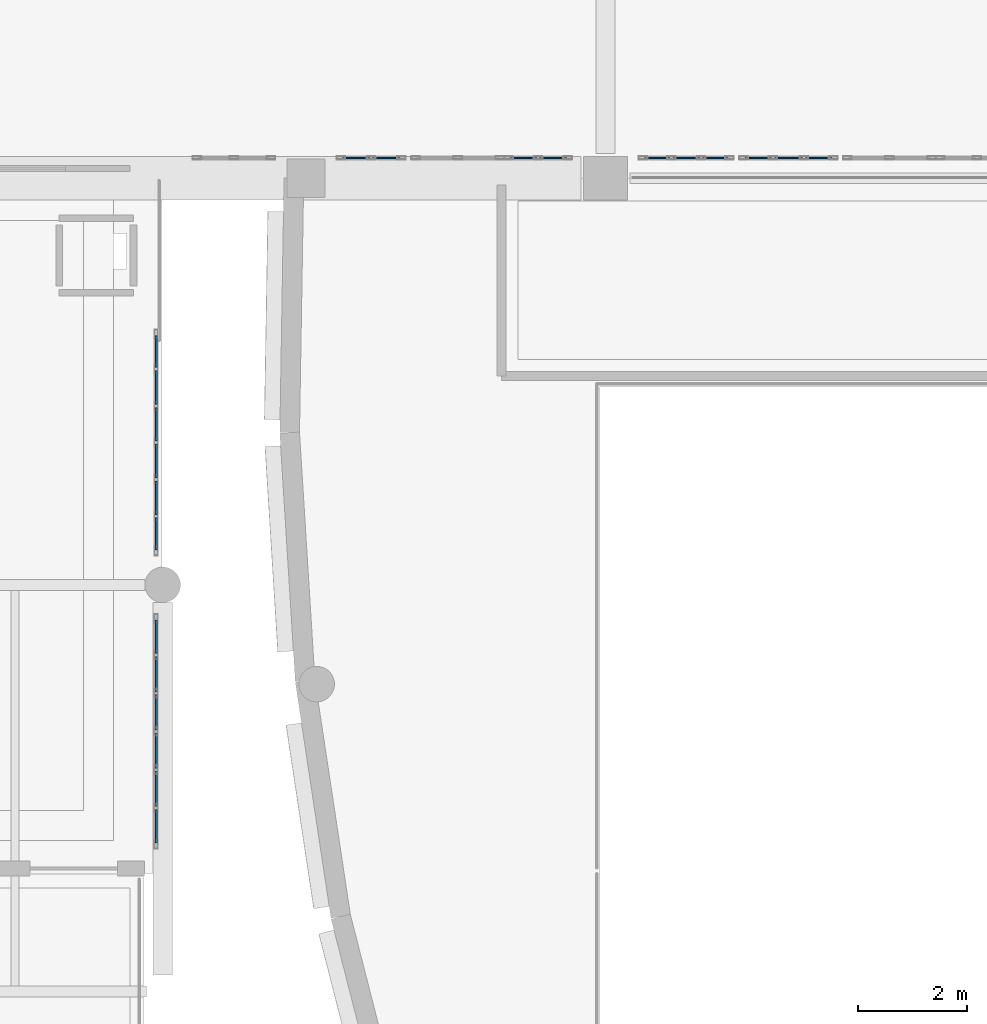
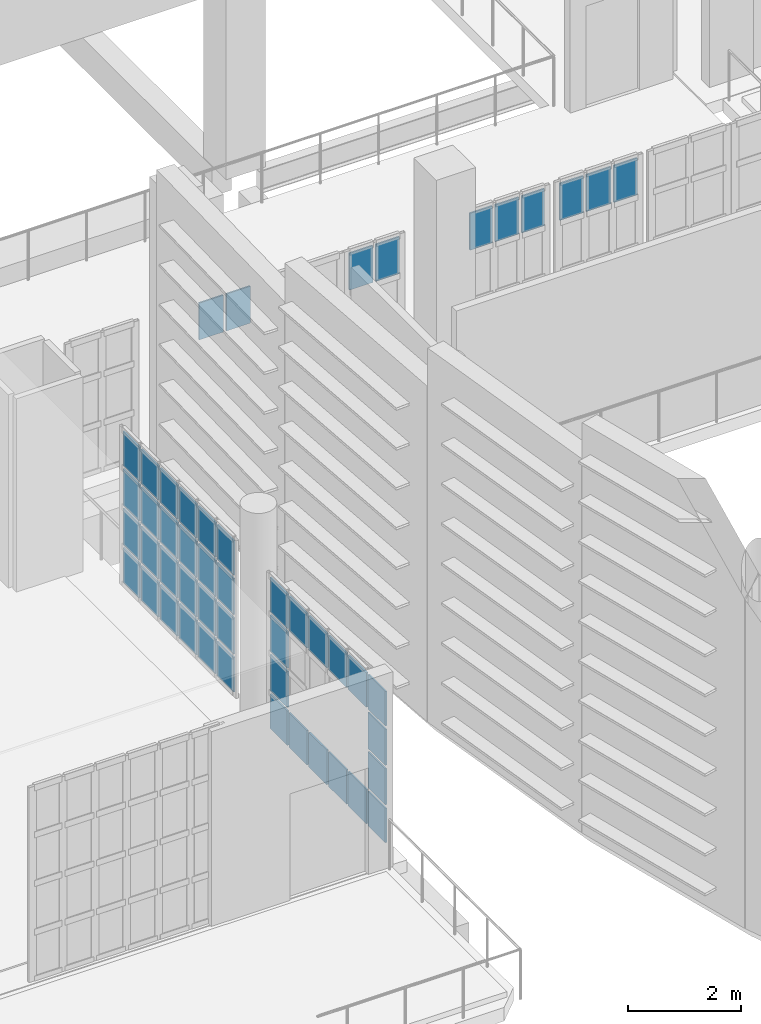
# One storey, part 56 of 73: 50 plates, 6 elements without a shape of their own.
"""IFC4 building model written with IfcOpenShell, lengths in metres."""

from ifc_helpers import new_model, si_unit, direction, frame, origin, origin_2d, place, context, subcontext, project, spatial, rectangle, extrude, material, layer, layer_set, type_object, element, aggregate, save


model = new_model("IFC4")

# Units and contexts
model_context = context("Model", 3, precision=1e-05, world=origin(), true_north=direction((0.0, 1.0)))
body_context = subcontext(model_context, "Body", "Model", "MODEL_VIEW")
ifc_project = project(units=[si_unit("LENGTHUNIT", "METRE"), si_unit("AREAUNIT", "SQUARE_METRE"), si_unit("VOLUMEUNIT", "CUBIC_METRE"), si_unit("PLANEANGLEUNIT", "RADIAN"), si_unit("MASSUNIT", "GRAM", prefix="KILO")], contexts=[model_context])

# Site, building, storey
site_placement = place(None, origin())
site = spatial("IfcSite", under=ifc_project, at=site_placement, CompositionType="ELEMENT")
building_placement = place(site_placement, origin())
building = spatial("IfcBuilding", under=site, at=building_placement, Name="Kaelora Sail Theatre", CompositionType="ELEMENT")
storey_placement = place(building_placement, frame((0.0, 0.0, 10.199951171875)))
storey = spatial("IfcBuildingStorey", under=building, at=storey_placement, Name="L02", CompositionType="ELEMENT", Elevation=10.199951171875)

# Curtain wall, plates
ifc_material_1 = material(Name="Anodised aluminium and solar-control low-E IGU", Category="aluminium")
curtain_wall_type = type_object("IfcCurtainWallType", Name="ARC-CW-CW-BRG", PredefinedType="NOTDEFINED", material=ifc_material_1)
curtain_wall_1_placement = place(storey_placement, origin())
curtain_wall_1 = element("IfcCurtainWall", 1, at=curtain_wall_1_placement, inside=storey, type_object=curtain_wall_type, Name="West Interstitial Foyer East Glazed Return L02-01", PredefinedType="NOTDEFINED")
ifc_material_2 = material(Name="Solar-control laminated low-E glass", Category="glass")
ifc_layer = layer(ifc_material_2, 0.031982421875)
ifc_layer_set = layer_set([ifc_layer], Name="Solar-control laminated low-E glass")
plate_type = type_object("IfcPlateType", Name="ARC-CW-PNL", PredefinedType="CURTAIN_PANEL", material=ifc_layer_set)
plate_1_placement = place(storey_placement, frame((74.280029296875, 49.16455078125, 0.070068359375), z_axis=(0.0, 0.0, 1.0), x_axis=(0.0, 1.0, 0.0)))
plate_1 = element("IfcPlate", 2, at=plate_1_placement, type_object=plate_type, Name="CW-BRG panel 1.1", PredefinedType="CURTAIN_PANEL", context=body_context, shape_type="SweptSolid", body=[
    extrude(rectangle(XDim=0.609130859375, YDim=0.031982421875, at=origin_2d()), origin(), (0.0, 0.0, 1.0), 0.74658203125),
])
plate_2_placement = place(storey_placement, frame((74.280029296875, 49.16455078125, 0.88671875), z_axis=(0.0, 0.0, 1.0), x_axis=(0.0, 1.0, 0.0)))
plate_2 = element("IfcPlate", 3, at=plate_2_placement, type_object=plate_type, Name="CW-BRG panel 1.2", PredefinedType="CURTAIN_PANEL", context=body_context, shape_type="SweptSolid", body=[
    extrude(rectangle(XDim=0.609130859375, YDim=0.031982421875, at=origin_2d()), origin(), (0.0, 0.0, 1.0), 0.78173828125),
])
plate_3_placement = place(storey_placement, frame((74.280029296875, 49.16455078125, 1.738525390625), z_axis=(0.0, 0.0, 1.0), x_axis=(0.0, 1.0, 0.0)))
plate_3 = element("IfcPlate", 4, at=plate_3_placement, type_object=plate_type, Name="CW-BRG panel 1.3", PredefinedType="CURTAIN_PANEL", context=body_context, shape_type="SweptSolid", body=[
    extrude(rectangle(XDim=0.609130859375, YDim=0.031982421875, at=origin_2d()), origin(), (0.0, 0.0, 1.0), 0.78173828125),
])
plate_4_placement = place(storey_placement, frame((74.280029296875, 49.16455078125, 2.59033203125), z_axis=(0.0, 0.0, 1.0), x_axis=(0.0, 1.0, 0.0)))
plate_4 = element("IfcPlate", 5, at=plate_4_placement, type_object=plate_type, Name="CW-BRG panel 1.4", PredefinedType="CURTAIN_PANEL", context=body_context, shape_type="SweptSolid", body=[
    extrude(rectangle(XDim=0.609130859375, YDim=0.031982421875, at=origin_2d()), origin(), (0.0, 0.0, 1.0), 0.74658203125),
])
plate_5_placement = place(storey_placement, frame((74.280029296875, 49.8486328125, 0.070068359375), z_axis=(0.0, 0.0, 1.0), x_axis=(0.0, 1.0, 0.0)))
plate_5 = element("IfcPlate", 6, at=plate_5_placement, type_object=plate_type, Name="CW-BRG panel 2.1", PredefinedType="CURTAIN_PANEL", context=body_context, shape_type="SweptSolid", body=[
    extrude(rectangle(XDim=0.63916015625, YDim=0.031982421875, at=origin_2d()), origin(), (0.0, 0.0, 1.0), 0.74658203125),
])
plate_6_placement = place(storey_placement, frame((74.280029296875, 49.8486328125, 2.59033203125), z_axis=(0.0, 0.0, 1.0), x_axis=(0.0, 1.0, 0.0)))
plate_6 = element("IfcPlate", 7, at=plate_6_placement, type_object=plate_type, Name="CW-BRG panel 2.4", PredefinedType="CURTAIN_PANEL", context=body_context, shape_type="SweptSolid", body=[
    extrude(rectangle(XDim=0.63916015625, YDim=0.031982421875, at=origin_2d()), origin(), (0.0, 0.0, 1.0), 0.74658203125),
])
plate_7_placement = place(storey_placement, frame((74.280029296875, 50.5478515625, 0.070068359375), z_axis=(0.0, 0.0, 1.0), x_axis=(0.0, 1.0, 0.0)))
plate_7 = element("IfcPlate", 8, at=plate_7_placement, type_object=plate_type, Name="CW-BRG panel 3.1", PredefinedType="CURTAIN_PANEL", context=body_context, shape_type="SweptSolid", body=[
    extrude(rectangle(XDim=0.63916015625, YDim=0.031982421875, at=origin_2d()), origin(), (0.0, 0.0, 1.0), 0.74658203125),
])
plate_8_placement = place(storey_placement, frame((74.280029296875, 50.5478515625, 2.59033203125), z_axis=(0.0, 0.0, 1.0), x_axis=(0.0, 1.0, 0.0)))
plate_8 = element("IfcPlate", 9, at=plate_8_placement, type_object=plate_type, Name="CW-BRG panel 3.4", PredefinedType="CURTAIN_PANEL", context=body_context, shape_type="SweptSolid", body=[
    extrude(rectangle(XDim=0.63916015625, YDim=0.031982421875, at=origin_2d()), origin(), (0.0, 0.0, 1.0), 0.74658203125),
])
plate_9_placement = place(storey_placement, frame((74.280029296875, 51.2470703125, 0.070068359375), z_axis=(0.0, 0.0, 1.0), x_axis=(0.0, 1.0, 0.0)))
plate_9 = element("IfcPlate", 10, at=plate_9_placement, type_object=plate_type, Name="CW-BRG panel 4.1", PredefinedType="CURTAIN_PANEL", context=body_context, shape_type="SweptSolid", body=[
    extrude(rectangle(XDim=0.63916015625, YDim=0.031982421875, at=origin_2d()), origin(), (0.0, 0.0, 1.0), 0.74658203125),
])
plate_10_placement = place(storey_placement, frame((74.280029296875, 51.2470703125, 2.59033203125), z_axis=(0.0, 0.0, 1.0), x_axis=(0.0, 1.0, 0.0)))
plate_10 = element("IfcPlate", 11, at=plate_10_placement, type_object=plate_type, Name="CW-BRG panel 4.4", PredefinedType="CURTAIN_PANEL", context=body_context, shape_type="SweptSolid", body=[
    extrude(rectangle(XDim=0.63916015625, YDim=0.031982421875, at=origin_2d()), origin(), (0.0, 0.0, 1.0), 0.74658203125),
])
plate_11_placement = place(storey_placement, frame((74.280029296875, 51.9462890625, 0.070068359375), z_axis=(0.0, 0.0, 1.0), x_axis=(0.0, 1.0, 0.0)))
plate_11 = element("IfcPlate", 12, at=plate_11_placement, type_object=plate_type, Name="CW-BRG panel 5.1", PredefinedType="CURTAIN_PANEL", context=body_context, shape_type="SweptSolid", body=[
    extrude(rectangle(XDim=0.63916015625, YDim=0.031982421875, at=origin_2d()), origin(), (0.0, 0.0, 1.0), 0.74658203125),
])
plate_12_placement = place(storey_placement, frame((74.280029296875, 51.9462890625, 2.59033203125), z_axis=(0.0, 0.0, 1.0), x_axis=(0.0, 1.0, 0.0)))
plate_12 = element("IfcPlate", 13, at=plate_12_placement, type_object=plate_type, Name="CW-BRG panel 5.4", PredefinedType="CURTAIN_PANEL", context=body_context, shape_type="SweptSolid", body=[
    extrude(rectangle(XDim=0.63916015625, YDim=0.031982421875, at=origin_2d()), origin(), (0.0, 0.0, 1.0), 0.74658203125),
])
plate_13_placement = place(storey_placement, frame((74.280029296875, 52.63037109375, 0.070068359375), z_axis=(0.0, 0.0, 1.0), x_axis=(0.0, 1.0, 0.0)))
plate_13 = element("IfcPlate", 14, at=plate_13_placement, type_object=plate_type, Name="CW-BRG panel 6.1", PredefinedType="CURTAIN_PANEL", context=body_context, shape_type="SweptSolid", body=[
    extrude(rectangle(XDim=0.609130859375, YDim=0.031982421875, at=origin_2d()), origin(), (0.0, 0.0, 1.0), 0.74658203125),
])
plate_14_placement = place(storey_placement, frame((74.280029296875, 52.63037109375, 0.88671875), z_axis=(0.0, 0.0, 1.0), x_axis=(0.0, 1.0, 0.0)))
plate_14 = element("IfcPlate", 15, at=plate_14_placement, type_object=plate_type, Name="CW-BRG panel 6.2", PredefinedType="CURTAIN_PANEL", context=body_context, shape_type="SweptSolid", body=[
    extrude(rectangle(XDim=0.609130859375, YDim=0.031982421875, at=origin_2d()), origin(), (0.0, 0.0, 1.0), 0.78173828125),
])
plate_15_placement = place(storey_placement, frame((74.280029296875, 52.63037109375, 1.738525390625), z_axis=(0.0, 0.0, 1.0), x_axis=(0.0, 1.0, 0.0)))
plate_15 = element("IfcPlate", 16, at=plate_15_placement, type_object=plate_type, Name="CW-BRG panel 6.3", PredefinedType="CURTAIN_PANEL", context=body_context, shape_type="SweptSolid", body=[
    extrude(rectangle(XDim=0.609130859375, YDim=0.031982421875, at=origin_2d()), origin(), (0.0, 0.0, 1.0), 0.78173828125),
])
plate_16_placement = place(storey_placement, frame((74.280029296875, 52.63037109375, 2.59033203125), z_axis=(0.0, 0.0, 1.0), x_axis=(0.0, 1.0, 0.0)))
plate_16 = element("IfcPlate", 17, at=plate_16_placement, type_object=plate_type, Name="CW-BRG panel 6.4", PredefinedType="CURTAIN_PANEL", context=body_context, shape_type="SweptSolid", body=[
    extrude(rectangle(XDim=0.609130859375, YDim=0.031982421875, at=origin_2d()), origin(), (0.0, 0.0, 1.0), 0.74658203125),
])
aggregate(curtain_wall_1, [plate_1, plate_2, plate_3, plate_4, plate_5, plate_6, plate_7, plate_8, plate_9, plate_10, plate_11, plate_12, plate_13, plate_14, plate_15, plate_16])

curtain_wall_2_placement = place(storey_placement, origin())
curtain_wall_2 = element("IfcCurtainWall", 18, at=curtain_wall_2_placement, inside=storey, type_object=curtain_wall_type, Name="West Interstitial Foyer East Glazed Return L02-02", PredefinedType="NOTDEFINED")
plate_17_placement = place(storey_placement, frame((74.280029296875, 54.516357421875, 0.070068359375), z_axis=(0.0, 0.0, 1.0), x_axis=(0.0, 1.0, 0.0)))
plate_17 = element("IfcPlate", 19, at=plate_17_placement, type_object=plate_type, Name="CW-BRG panel 1.1", PredefinedType="CURTAIN_PANEL", context=body_context, shape_type="SweptSolid", body=[
    extrude(rectangle(XDim=0.58251953125, YDim=0.031982421875, at=origin_2d()), origin(), (0.0, 0.0, 1.0), 0.74658203125),
])
plate_18_placement = place(storey_placement, frame((74.280029296875, 54.516357421875, 0.88671875), z_axis=(0.0, 0.0, 1.0), x_axis=(0.0, 1.0, 0.0)))
plate_18 = element("IfcPlate", 20, at=plate_18_placement, type_object=plate_type, Name="CW-BRG panel 1.2", PredefinedType="CURTAIN_PANEL", context=body_context, shape_type="SweptSolid", body=[
    extrude(rectangle(XDim=0.58251953125, YDim=0.031982421875, at=origin_2d()), origin(), (0.0, 0.0, 1.0), 0.78173828125),
])
plate_19_placement = place(storey_placement, frame((74.280029296875, 54.516357421875, 1.738525390625), z_axis=(0.0, 0.0, 1.0), x_axis=(0.0, 1.0, 0.0)))
plate_19 = element("IfcPlate", 21, at=plate_19_placement, type_object=plate_type, Name="CW-BRG panel 1.3", PredefinedType="CURTAIN_PANEL", context=body_context, shape_type="SweptSolid", body=[
    extrude(rectangle(XDim=0.58251953125, YDim=0.031982421875, at=origin_2d()), origin(), (0.0, 0.0, 1.0), 0.78173828125),
])
plate_20_placement = place(storey_placement, frame((74.280029296875, 54.516357421875, 2.59033203125), z_axis=(0.0, 0.0, 1.0), x_axis=(0.0, 1.0, 0.0)))
plate_20 = element("IfcPlate", 22, at=plate_20_placement, type_object=plate_type, Name="CW-BRG panel 1.4", PredefinedType="CURTAIN_PANEL", context=body_context, shape_type="SweptSolid", body=[
    extrude(rectangle(XDim=0.58251953125, YDim=0.031982421875, at=origin_2d()), origin(), (0.0, 0.0, 1.0), 0.74658203125),
])
plate_21_placement = place(storey_placement, frame((74.280029296875, 55.173828125, 0.070068359375), z_axis=(0.0, 0.0, 1.0), x_axis=(0.0, 1.0, 0.0)))
plate_21 = element("IfcPlate", 23, at=plate_21_placement, type_object=plate_type, Name="CW-BRG panel 2.1", PredefinedType="CURTAIN_PANEL", context=body_context, shape_type="SweptSolid", body=[
    extrude(rectangle(XDim=0.612548828125, YDim=0.031982421875, at=origin_2d()), origin(), (0.0, 0.0, 1.0), 0.74658203125),
])
plate_22_placement = place(storey_placement, frame((74.280029296875, 55.173828125, 0.88671875), z_axis=(0.0, 0.0, 1.0), x_axis=(0.0, 1.0, 0.0)))
plate_22 = element("IfcPlate", 24, at=plate_22_placement, type_object=plate_type, Name="CW-BRG panel 2.2", PredefinedType="CURTAIN_PANEL", context=body_context, shape_type="SweptSolid", body=[
    extrude(rectangle(XDim=0.612548828125, YDim=0.031982421875, at=origin_2d()), origin(), (0.0, 0.0, 1.0), 0.78173828125),
])
plate_23_placement = place(storey_placement, frame((74.280029296875, 55.173828125, 1.738525390625), z_axis=(0.0, 0.0, 1.0), x_axis=(0.0, 1.0, 0.0)))
plate_23 = element("IfcPlate", 25, at=plate_23_placement, type_object=plate_type, Name="CW-BRG panel 2.3", PredefinedType="CURTAIN_PANEL", context=body_context, shape_type="SweptSolid", body=[
    extrude(rectangle(XDim=0.612548828125, YDim=0.031982421875, at=origin_2d()), origin(), (0.0, 0.0, 1.0), 0.78173828125),
])
plate_24_placement = place(storey_placement, frame((74.280029296875, 55.173828125, 2.59033203125), z_axis=(0.0, 0.0, 1.0), x_axis=(0.0, 1.0, 0.0)))
plate_24 = element("IfcPlate", 26, at=plate_24_placement, type_object=plate_type, Name="CW-BRG panel 2.4", PredefinedType="CURTAIN_PANEL", context=body_context, shape_type="SweptSolid", body=[
    extrude(rectangle(XDim=0.612548828125, YDim=0.031982421875, at=origin_2d()), origin(), (0.0, 0.0, 1.0), 0.74658203125),
])
plate_25_placement = place(storey_placement, frame((74.280029296875, 55.84619140625, 0.070068359375), z_axis=(0.0, 0.0, 1.0), x_axis=(0.0, 1.0, 0.0)))
plate_25 = element("IfcPlate", 27, at=plate_25_placement, type_object=plate_type, Name="CW-BRG panel 3.1", PredefinedType="CURTAIN_PANEL", context=body_context, shape_type="SweptSolid", body=[
    extrude(rectangle(XDim=0.612548828125, YDim=0.031982421875, at=origin_2d()), origin(), (0.0, 0.0, 1.0), 0.74658203125),
])
plate_26_placement = place(storey_placement, frame((74.280029296875, 55.84619140625, 0.88671875), z_axis=(0.0, 0.0, 1.0), x_axis=(0.0, 1.0, 0.0)))
plate_26 = element("IfcPlate", 28, at=plate_26_placement, type_object=plate_type, Name="CW-BRG panel 3.2", PredefinedType="CURTAIN_PANEL", context=body_context, shape_type="SweptSolid", body=[
    extrude(rectangle(XDim=0.612548828125, YDim=0.031982421875, at=origin_2d()), origin(), (0.0, 0.0, 1.0), 0.78173828125),
])
plate_27_placement = place(storey_placement, frame((74.280029296875, 55.84619140625, 1.738525390625), z_axis=(0.0, 0.0, 1.0), x_axis=(0.0, 1.0, 0.0)))
plate_27 = element("IfcPlate", 29, at=plate_27_placement, type_object=plate_type, Name="CW-BRG panel 3.3", PredefinedType="CURTAIN_PANEL", context=body_context, shape_type="SweptSolid", body=[
    extrude(rectangle(XDim=0.612548828125, YDim=0.031982421875, at=origin_2d()), origin(), (0.0, 0.0, 1.0), 0.78173828125),
])
plate_28_placement = place(storey_placement, frame((74.280029296875, 55.84619140625, 2.59033203125), z_axis=(0.0, 0.0, 1.0), x_axis=(0.0, 1.0, 0.0)))
plate_28 = element("IfcPlate", 30, at=plate_28_placement, type_object=plate_type, Name="CW-BRG panel 3.4", PredefinedType="CURTAIN_PANEL", context=body_context, shape_type="SweptSolid", body=[
    extrude(rectangle(XDim=0.612548828125, YDim=0.031982421875, at=origin_2d()), origin(), (0.0, 0.0, 1.0), 0.74658203125),
])
plate_29_placement = place(storey_placement, frame((74.280029296875, 56.518798828125, 0.070068359375), z_axis=(0.0, 0.0, 1.0), x_axis=(0.0, 1.0, 0.0)))
plate_29 = element("IfcPlate", 31, at=plate_29_placement, type_object=plate_type, Name="CW-BRG panel 4.1", PredefinedType="CURTAIN_PANEL", context=body_context, shape_type="SweptSolid", body=[
    extrude(rectangle(XDim=0.612548828125, YDim=0.031982421875, at=origin_2d()), origin(), (0.0, 0.0, 1.0), 0.74658203125),
])
plate_30_placement = place(storey_placement, frame((74.280029296875, 56.518798828125, 0.88671875), z_axis=(0.0, 0.0, 1.0), x_axis=(0.0, 1.0, 0.0)))
plate_30 = element("IfcPlate", 32, at=plate_30_placement, type_object=plate_type, Name="CW-BRG panel 4.2", PredefinedType="CURTAIN_PANEL", context=body_context, shape_type="SweptSolid", body=[
    extrude(rectangle(XDim=0.612548828125, YDim=0.031982421875, at=origin_2d()), origin(), (0.0, 0.0, 1.0), 0.78173828125),
])
plate_31_placement = place(storey_placement, frame((74.280029296875, 56.518798828125, 1.738525390625), z_axis=(0.0, 0.0, 1.0), x_axis=(0.0, 1.0, 0.0)))
plate_31 = element("IfcPlate", 33, at=plate_31_placement, type_object=plate_type, Name="CW-BRG panel 4.3", PredefinedType="CURTAIN_PANEL", context=body_context, shape_type="SweptSolid", body=[
    extrude(rectangle(XDim=0.612548828125, YDim=0.031982421875, at=origin_2d()), origin(), (0.0, 0.0, 1.0), 0.78173828125),
])
plate_32_placement = place(storey_placement, frame((74.280029296875, 56.518798828125, 2.59033203125), z_axis=(0.0, 0.0, 1.0), x_axis=(0.0, 1.0, 0.0)))
plate_32 = element("IfcPlate", 34, at=plate_32_placement, type_object=plate_type, Name="CW-BRG panel 4.4", PredefinedType="CURTAIN_PANEL", context=body_context, shape_type="SweptSolid", body=[
    extrude(rectangle(XDim=0.612548828125, YDim=0.031982421875, at=origin_2d()), origin(), (0.0, 0.0, 1.0), 0.74658203125),
])
plate_33_placement = place(storey_placement, frame((74.280029296875, 57.191162109375, 0.070068359375), z_axis=(0.0, 0.0, 1.0), x_axis=(0.0, 1.0, 0.0)))
plate_33 = element("IfcPlate", 35, at=plate_33_placement, type_object=plate_type, Name="CW-BRG panel 5.1", PredefinedType="CURTAIN_PANEL", context=body_context, shape_type="SweptSolid", body=[
    extrude(rectangle(XDim=0.612548828125, YDim=0.031982421875, at=origin_2d()), origin(), (0.0, 0.0, 1.0), 0.74658203125),
])
plate_34_placement = place(storey_placement, frame((74.280029296875, 57.191162109375, 0.88671875), z_axis=(0.0, 0.0, 1.0), x_axis=(0.0, 1.0, 0.0)))
plate_34 = element("IfcPlate", 36, at=plate_34_placement, type_object=plate_type, Name="CW-BRG panel 5.2", PredefinedType="CURTAIN_PANEL", context=body_context, shape_type="SweptSolid", body=[
    extrude(rectangle(XDim=0.612548828125, YDim=0.031982421875, at=origin_2d()), origin(), (0.0, 0.0, 1.0), 0.78173828125),
])
plate_35_placement = place(storey_placement, frame((74.280029296875, 57.191162109375, 1.738525390625), z_axis=(0.0, 0.0, 1.0), x_axis=(0.0, 1.0, 0.0)))
plate_35 = element("IfcPlate", 37, at=plate_35_placement, type_object=plate_type, Name="CW-BRG panel 5.3", PredefinedType="CURTAIN_PANEL", context=body_context, shape_type="SweptSolid", body=[
    extrude(rectangle(XDim=0.612548828125, YDim=0.031982421875, at=origin_2d()), origin(), (0.0, 0.0, 1.0), 0.78173828125),
])
plate_36_placement = place(storey_placement, frame((74.280029296875, 57.191162109375, 2.59033203125), z_axis=(0.0, 0.0, 1.0), x_axis=(0.0, 1.0, 0.0)))
plate_36 = element("IfcPlate", 38, at=plate_36_placement, type_object=plate_type, Name="CW-BRG panel 5.4", PredefinedType="CURTAIN_PANEL", context=body_context, shape_type="SweptSolid", body=[
    extrude(rectangle(XDim=0.612548828125, YDim=0.031982421875, at=origin_2d()), origin(), (0.0, 0.0, 1.0), 0.74658203125),
])
plate_37_placement = place(storey_placement, frame((74.280029296875, 57.8486328125, 0.070068359375), z_axis=(0.0, 0.0, 1.0), x_axis=(0.0, 1.0, 0.0)))
plate_37 = element("IfcPlate", 39, at=plate_37_placement, type_object=plate_type, Name="CW-BRG panel 6.1", PredefinedType="CURTAIN_PANEL", context=body_context, shape_type="SweptSolid", body=[
    extrude(rectangle(XDim=0.58251953125, YDim=0.031982421875, at=origin_2d()), origin(), (0.0, 0.0, 1.0), 0.74658203125),
])
plate_38_placement = place(storey_placement, frame((74.280029296875, 57.8486328125, 0.88671875), z_axis=(0.0, 0.0, 1.0), x_axis=(0.0, 1.0, 0.0)))
plate_38 = element("IfcPlate", 40, at=plate_38_placement, type_object=plate_type, Name="CW-BRG panel 6.2", PredefinedType="CURTAIN_PANEL", context=body_context, shape_type="SweptSolid", body=[
    extrude(rectangle(XDim=0.58251953125, YDim=0.031982421875, at=origin_2d()), origin(), (0.0, 0.0, 1.0), 0.78173828125),
])
plate_39_placement = place(storey_placement, frame((74.280029296875, 57.8486328125, 1.738525390625), z_axis=(0.0, 0.0, 1.0), x_axis=(0.0, 1.0, 0.0)))
plate_39 = element("IfcPlate", 41, at=plate_39_placement, type_object=plate_type, Name="CW-BRG panel 6.3", PredefinedType="CURTAIN_PANEL", context=body_context, shape_type="SweptSolid", body=[
    extrude(rectangle(XDim=0.58251953125, YDim=0.031982421875, at=origin_2d()), origin(), (0.0, 0.0, 1.0), 0.78173828125),
])
plate_40_placement = place(storey_placement, frame((74.280029296875, 57.8486328125, 2.59033203125), z_axis=(0.0, 0.0, 1.0), x_axis=(0.0, 1.0, 0.0)))
plate_40 = element("IfcPlate", 42, at=plate_40_placement, type_object=plate_type, Name="CW-BRG panel 6.4", PredefinedType="CURTAIN_PANEL", context=body_context, shape_type="SweptSolid", body=[
    extrude(rectangle(XDim=0.58251953125, YDim=0.031982421875, at=origin_2d()), origin(), (0.0, 0.0, 1.0), 0.74658203125),
])
aggregate(curtain_wall_2, [plate_17, plate_18, plate_19, plate_20, plate_21, plate_22, plate_23, plate_24, plate_25, plate_26, plate_27, plate_28, plate_29, plate_30, plate_31, plate_32, plate_33, plate_34, plate_35, plate_36, plate_37, plate_38, plate_39, plate_40])

curtain_wall_3_placement = place(storey_placement, origin())
curtain_wall_3 = element("IfcCurtainWall", 43, at=curtain_wall_3_placement, inside=storey, type_object=curtain_wall_type, Name="Glazed Foyer/Conservatory Curtain Wall FC1-S-L02-02", PredefinedType="NOTDEFINED")
plate_41_placement = place(storey_placement, frame((77.9375, 61.389892578125, 2.14013671875), z_axis=(0.0, 0.0, 1.0), x_axis=(1.0, 0.0, 0.0)))
plate_41 = element("IfcPlate", 44, at=plate_41_placement, type_object=plate_type, Name="CW-BRG panel 1.3", PredefinedType="CURTAIN_PANEL", context=body_context, shape_type="SweptSolid", body=[
    extrude(rectangle(XDim=0.4951171875, YDim=0.031982421875, at=origin_2d()), origin(), (0.0, 0.0, 1.0), 0.797119140625),
])
plate_42_placement = place(storey_placement, frame((78.492431640625, 61.389892578125, 2.14013671875), z_axis=(0.0, 0.0, 1.0), x_axis=(1.0, 0.0, 0.0)))
plate_42 = element("IfcPlate", 45, at=plate_42_placement, type_object=plate_type, Name="CW-BRG panel 2.3", PredefinedType="CURTAIN_PANEL", context=body_context, shape_type="SweptSolid", body=[
    extrude(rectangle(XDim=0.4951171875, YDim=0.031982421875, at=origin_2d()), origin(), (0.0, 0.0, 1.0), 0.797119140625),
])
aggregate(curtain_wall_3, [plate_41, plate_42])

curtain_wall_4_placement = place(storey_placement, origin())
curtain_wall_4 = element("IfcCurtainWall", 46, at=curtain_wall_4_placement, inside=storey, type_object=curtain_wall_type, Name="Glazed Foyer/Conservatory Curtain Wall FC1-S-L02-04", PredefinedType="NOTDEFINED")
plate_43_placement = place(storey_placement, frame((81.0, 61.389892578125, 2.14013671875), z_axis=(0.0, 0.0, 1.0), x_axis=(1.0, 0.0, 0.0)))
plate_43 = element("IfcPlate", 47, at=plate_43_placement, type_object=plate_type, Name="CW-BRG panel 1.3", PredefinedType="CURTAIN_PANEL", context=body_context, shape_type="SweptSolid", body=[
    extrude(rectangle(XDim=0.47998046875, YDim=0.031982421875, at=origin_2d()), origin(), (0.0, 0.0, 1.0), 0.797119140625),
])
plate_44_placement = place(storey_placement, frame((81.5400390625, 61.389892578125, 2.14013671875), z_axis=(0.0, 0.0, 1.0), x_axis=(1.0, 0.0, 0.0)))
plate_44 = element("IfcPlate", 48, at=plate_44_placement, type_object=plate_type, Name="CW-BRG panel 2.3", PredefinedType="CURTAIN_PANEL", context=body_context, shape_type="SweptSolid", body=[
    extrude(rectangle(XDim=0.47998046875, YDim=0.031982421875, at=origin_2d()), origin(), (0.0, 0.0, 1.0), 0.797119140625),
])
aggregate(curtain_wall_4, [plate_43, plate_44])

curtain_wall_5_placement = place(storey_placement, origin())
curtain_wall_5 = element("IfcCurtainWall", 49, at=curtain_wall_5_placement, inside=storey, type_object=curtain_wall_type, Name="Glazed Foyer/Conservatory Curtain Wall FC1-S-L02-05", PredefinedType="NOTDEFINED")
plate_45_placement = place(storey_placement, frame((83.4482421875, 61.389892578125, 2.14013671875), z_axis=(0.0, 0.0, 1.0), x_axis=(1.0, 0.0, 0.0)))
plate_45 = element("IfcPlate", 50, at=plate_45_placement, type_object=plate_type, Name="CW-BRG panel 1.3", PredefinedType="CURTAIN_PANEL", context=body_context, shape_type="SweptSolid", body=[
    extrude(rectangle(XDim=0.456787109375, YDim=0.031982421875, at=origin_2d()), origin(), (0.0, 0.0, 1.0), 0.797119140625),
])
plate_46_placement = place(storey_placement, frame((83.97998046875, 61.389892578125, 2.14013671875), z_axis=(0.0, 0.0, 1.0), x_axis=(1.0, 0.0, 0.0)))
plate_46 = element("IfcPlate", 51, at=plate_46_placement, type_object=plate_type, Name="CW-BRG panel 2.3", PredefinedType="CURTAIN_PANEL", context=body_context, shape_type="SweptSolid", body=[
    extrude(rectangle(XDim=0.486572265625, YDim=0.031982421875, at=origin_2d()), origin(), (0.0, 0.0, 1.0), 0.797119140625),
])
plate_47_placement = place(storey_placement, frame((84.51171875, 61.389892578125, 2.14013671875), z_axis=(0.0, 0.0, 1.0), x_axis=(1.0, 0.0, 0.0)))
plate_47 = element("IfcPlate", 52, at=plate_47_placement, type_object=plate_type, Name="CW-BRG panel 3.3", PredefinedType="CURTAIN_PANEL", context=body_context, shape_type="SweptSolid", body=[
    extrude(rectangle(XDim=0.456787109375, YDim=0.031982421875, at=origin_2d()), origin(), (0.0, 0.0, 1.0), 0.797119140625),
])
aggregate(curtain_wall_5, [plate_45, plate_46, plate_47])

curtain_wall_6_placement = place(storey_placement, origin())
curtain_wall_6 = element("IfcCurtainWall", 53, at=curtain_wall_6_placement, inside=storey, type_object=curtain_wall_type, Name="Glazed Foyer/Conservatory Curtain Wall FC1-S-L02-06", PredefinedType="NOTDEFINED")
plate_48_placement = place(storey_placement, frame((85.29833984375, 61.389892578125, 2.14013671875), z_axis=(0.0, 0.0, 1.0), x_axis=(1.0, 0.0, 0.0)))
plate_48 = element("IfcPlate", 54, at=plate_48_placement, type_object=plate_type, Name="CW-BRG panel 1.3", PredefinedType="CURTAIN_PANEL", context=body_context, shape_type="SweptSolid", body=[
    extrude(rectangle(XDim=0.4765625, YDim=0.031982421875, at=origin_2d()), origin(), (0.0, 0.0, 1.0), 0.797119140625),
])
plate_49_placement = place(storey_placement, frame((85.85009765625, 61.389892578125, 2.14013671875), z_axis=(0.0, 0.0, 1.0), x_axis=(1.0, 0.0, 0.0)))
plate_49 = element("IfcPlate", 55, at=plate_49_placement, type_object=plate_type, Name="CW-BRG panel 2.3", PredefinedType="CURTAIN_PANEL", context=body_context, shape_type="SweptSolid", body=[
    extrude(rectangle(XDim=0.506591796875, YDim=0.031982421875, at=origin_2d()), origin(), (0.0, 0.0, 1.0), 0.797119140625),
])
plate_50_placement = place(storey_placement, frame((86.401611328125, 61.389892578125, 2.14013671875), z_axis=(0.0, 0.0, 1.0), x_axis=(1.0, 0.0, 0.0)))
plate_50 = element("IfcPlate", 56, at=plate_50_placement, type_object=plate_type, Name="CW-BRG panel 3.3", PredefinedType="CURTAIN_PANEL", context=body_context, shape_type="SweptSolid", body=[
    extrude(rectangle(XDim=0.4765625, YDim=0.031982421875, at=origin_2d()), origin(), (0.0, 0.0, 1.0), 0.797119140625),
])
aggregate(curtain_wall_6, [plate_48, plate_49, plate_50])

save(model, "model.ifc")
